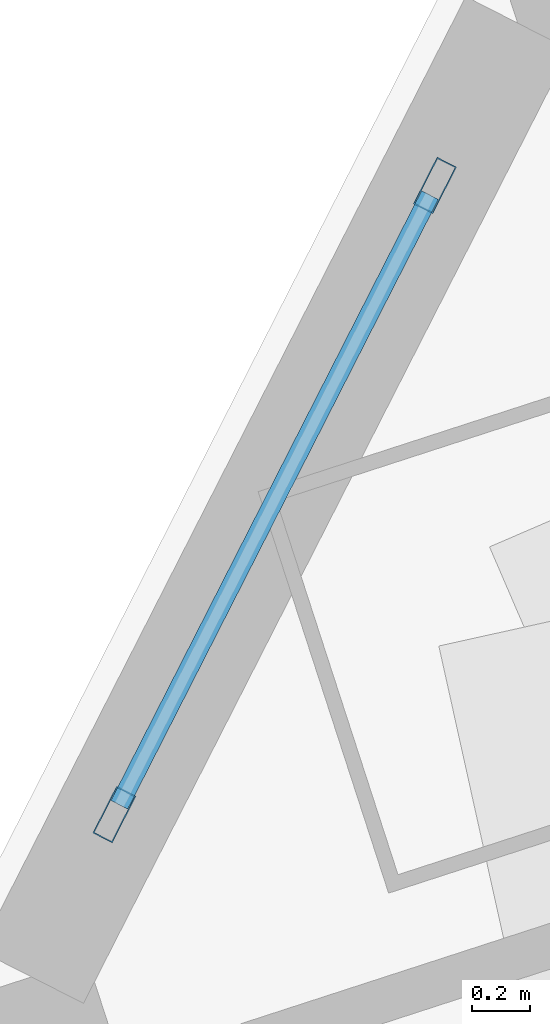
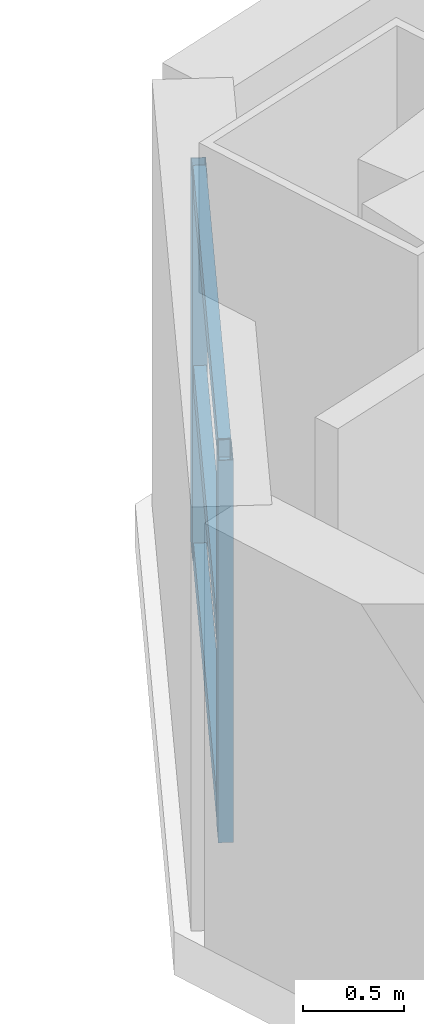
# One storey, part 7 of 23: 5 members, 1 element without a shape of its own.
"""IFC4 building model written with IfcOpenShell, lengths in metres."""

import ifcopenshell
import ifcopenshell.guid

model = None  # the IFC model being written
_history = None  # IfcOwnerHistory: only IFC2X3 demands one
_inside = {}  # id of a spatial element -> (the spatial element, [elements in it])
_under = {}  # id of a project, library or spatial element -> (it, [spatial elements below it])
_declared = {}  # id of a project -> (the project, [libraries it declares])
_typed = {}  # id of a type object -> (the type object, [elements of that type])
_made_of = {}  # id of a material, layer set ... -> (it, [elements and type objects made of it])


def new_model(schema):
    """Start an empty IFC model of exactly this schema.

    Asked for "IFC4X3", IfcOpenShell would pick the latest addendum, in which some entities
    have other attributes; the version numbers below select the first issue.
    IFC2X3 requires an IfcOwnerHistory on every rooted entity: one is made here for all.
    """
    global model, _history
    if schema == "IFC4X3":
        model = ifcopenshell.file(schema_version=(4, 3, 0, 0))
    else:
        model = ifcopenshell.file(schema=schema)
    _inside.clear()
    _under.clear()
    _declared.clear()
    _typed.clear()
    _made_of.clear()
    _history = None
    if model.schema == "IFC2X3":
        org = make("IfcOrganization", Name="unknown")
        user = make(
            "IfcPersonAndOrganization",
            ThePerson=make("IfcPerson", FamilyName="unknown"),
            TheOrganization=org,
        )
        app = make(
            "IfcApplication",
            ApplicationDeveloper=org,
            Version="unknown",
            ApplicationFullName="unknown",
            ApplicationIdentifier="unknown",
        )
        _history = make(
            "IfcOwnerHistory",
            OwningUser=user,
            OwningApplication=app,
            ChangeAction="ADDED",
            CreationDate=0,
        )
    return model


def make(cls, **values):
    """One entity of the class cls with the attributes given. An attribute that is None is left unset."""
    return model.create_entity(
        cls, **{name: value for name, value in values.items() if value is not None}
    )


def rooted(cls, **values):
    """An entity with a GlobalId (a new one), such as an element, a storey or a relation."""
    return make(cls, GlobalId=ifcopenshell.guid.new(), OwnerHistory=_history, **values)


def si_unit(unit_type, name, prefix=None):
    """IfcSIUnit, for example si_unit("LENGTHUNIT", "METRE", prefix="MILLI")."""
    return make("IfcSIUnit", UnitType=unit_type, Prefix=prefix, Name=name)


def assignment(units):
    """IfcUnitAssignment: the units of a project."""
    return None if units is None else make("IfcUnitAssignment", Units=units)


def point(xyz):
    """IfcCartesianPoint."""
    return None if xyz is None else make("IfcCartesianPoint", Coordinates=xyz)


def direction(xyz):
    """IfcDirection."""
    return None if xyz is None else make("IfcDirection", DirectionRatios=xyz)


def frame(location, z_axis=None, x_axis=None):
    """IfcAxis2Placement3D, a coordinate frame: its origin and axes. An axis left out is left unset."""
    return make(
        "IfcAxis2Placement3D",
        Location=point(location),
        Axis=direction(z_axis),
        RefDirection=direction(x_axis),
    )


def frame_2d(location, x_axis=None):
    """IfcAxis2Placement2D, a coordinate frame in the plane: its origin and x axis."""
    return make(
        "IfcAxis2Placement2D", Location=point(location), RefDirection=direction(x_axis)
    )


def origin():
    """The frame at (0, 0, 0) with its axes left unset."""
    return frame((0.0, 0.0, 0.0))


def origin_2d():
    """The frame at (0, 0) in the plane with its x axis left unset."""
    return frame_2d((0.0, 0.0))


def place(relative_to, where):
    """IfcLocalPlacement: puts the frame where relative to a parent placement (None: the world)."""
    return make(
        "IfcLocalPlacement", PlacementRelTo=relative_to, RelativePlacement=where
    )


def context(
    kind, dimensions, precision=None, world=None, true_north=None, identifier=None
):
    """IfcGeometricRepresentationContext, for example the 3D "Model" context."""
    return make(
        "IfcGeometricRepresentationContext",
        ContextIdentifier=identifier,
        ContextType=kind,
        CoordinateSpaceDimension=dimensions,
        Precision=precision,
        WorldCoordinateSystem=world,
        TrueNorth=true_north,
    )


def subcontext(parent, identifier, kind, view, scale=None):
    """IfcGeometricRepresentationSubContext, for example "Body" below "Model"."""
    return make(
        "IfcGeometricRepresentationSubContext",
        ContextIdentifier=identifier,
        ContextType=kind,
        ParentContext=parent,
        TargetScale=scale,
        TargetView=view,
    )


def project(units=None, contexts=None):
    """IfcProject with its units and contexts."""
    return rooted(
        "IfcProject",
        Name="project",
        RepresentationContexts=contexts,
        UnitsInContext=assignment(units),
    )


def spatial(cls, under=None, at=None, **own):
    """A site, building, storey or space (cls), placed at a placement, below another one or the project."""
    s = rooted(cls, ObjectPlacement=at, **own)
    if under is not None:
        _under.setdefault(under.id(), (under, []))[1].append(s)
    return s


def profile(cls, at=None, kind="AREA", **sizes):
    """A parametric profile (cls). Its sizes go by their IFC names, for example OverallWidth=200.0."""
    return make(cls, ProfileType=kind, Position=at, **sizes)


def hollow_rectangle(**sizes):
    """IfcRectangleHollowProfileDef."""
    return profile("IfcRectangleHollowProfileDef", **sizes)


def extrude(swept, where, along, depth):
    """IfcExtrudedAreaSolid: the profile swept, set in the frame where, extruded along a direction by depth."""
    return make(
        "IfcExtrudedAreaSolid",
        SweptArea=swept,
        Position=where,
        ExtrudedDirection=direction(along),
        Depth=depth,
    )


def shape(context_of_items, identifier, shape_type, items):
    """IfcShapeRepresentation: the items that make up one representation, for example the "Body"."""
    return make(
        "IfcShapeRepresentation",
        ContextOfItems=context_of_items,
        RepresentationIdentifier=identifier,
        RepresentationType=shape_type,
        Items=items,
    )


def material(Name=None, Category=None):
    """IfcMaterial."""
    return make("IfcMaterial", Name=Name, Category=Category)


def layer(
    of_material, thickness, ventilated=None, Name=None, Category=None, Priority=None
):
    """IfcMaterialLayer: one layer of a wall or slab, of a material (None: an air gap)."""
    return make(
        "IfcMaterialLayer",
        Material=of_material,
        LayerThickness=thickness,
        IsVentilated=ventilated,
        Name=Name,
        Category=Category,
        Priority=Priority,
    )


def layer_set(layers, Name=None):
    """IfcMaterialLayerSet."""
    return make("IfcMaterialLayerSet", MaterialLayers=layers, LayerSetName=Name)


def material_profile(
    of_material, cross_section, Name=None, Category=None, Priority=None
):
    """IfcMaterialProfile: a cross section and its material."""
    return make(
        "IfcMaterialProfile",
        Name=Name,
        Material=of_material,
        Profile=cross_section,
        Priority=Priority,
        Category=Category,
    )


def profile_set(profiles, Name=None, composite=None):
    """IfcMaterialProfileSet."""
    return make(
        "IfcMaterialProfileSet",
        Name=Name,
        MaterialProfiles=profiles,
        CompositeProfile=composite,
    )


def made_of(thing, what):
    """Note that an element or type object is made of a material, layer set ...; save() writes the relation."""
    if what is not None:
        _made_of.setdefault(what.id(), (what, []))[1].append(thing)
    return thing


def type_object(cls, material=None, **own):
    """A type object (cls), such as IfcWallType, which elements share."""
    return made_of(rooted(cls, **own), material)


def element(
    cls,
    number,
    at=None,
    inside=None,
    cuts=None,
    type_object=None,
    material=None,
    context=None,
    identifier="Body",
    shape_type=None,
    held_by="IfcProductDefinitionShape",
    body=None,
    shapes=None,
    **own,
):
    """One element of the class cls, such as IfcWall. Its Tag is "e" and its number.

    at: its placement. inside: the storey or other place that contains it. cuts: it is an
    opening in that element (IfcRelVoidsElement). A single representation is given by context,
    identifier, shape_type and body (its items); several are given by shapes. held_by: the class
    of the entity that holds the representations. save() writes the other relations.
    """
    e = rooted(cls, Tag="e%d" % number, ObjectPlacement=at, **own)
    if body is not None:
        shapes = [shape(context, identifier, shape_type, body)]
    if shapes is not None:
        e.Representation = make(held_by, Representations=shapes)
    if inside is not None:
        _inside.setdefault(inside.id(), (inside, []))[1].append(e)
    if cuts is not None:
        rooted(
            "IfcRelVoidsElement", RelatingBuildingElement=cuts, RelatedOpeningElement=e
        )
    if type_object is not None:
        _typed.setdefault(type_object.id(), (type_object, []))[1].append(e)
    return made_of(e, material)


def aggregate(whole, parts):
    """IfcRelAggregates: a whole, such as a stair, and the parts it consists of."""
    return rooted("IfcRelAggregates", RelatingObject=whole, RelatedObjects=parts)


def save(model, path):
    """Write the relations noted so far, then the file.

    IfcRelAggregates (storeys below a building ...), IfcRelContainedInSpatialStructure (elements
    in a storey), IfcRelDefinesByType, IfcRelAssociatesMaterial and IfcRelDeclares: one each for
    every whole, place, type object, material and project.
    """
    for whole, parts in _under.values():
        aggregate(whole, parts)
    for where, things in _inside.values():
        rooted(
            "IfcRelContainedInSpatialStructure",
            RelatedElements=things,
            RelatingStructure=where,
        )
    for kind, things in _typed.values():
        rooted("IfcRelDefinesByType", RelatedObjects=things, RelatingType=kind)
    for what, things in _made_of.values():
        rooted("IfcRelAssociatesMaterial", RelatedObjects=things, RelatingMaterial=what)
    for by, libraries in _declared.values():
        rooted("IfcRelDeclares", RelatingContext=by, RelatedDefinitions=libraries)
    model.write(path)


model = new_model("IFC4")

# Units and contexts
model_context = context("Model", 3, precision=1e-05, world=origin(), true_north=direction((0.0, 1.0)))
body_context = subcontext(model_context, "Body", "Model", "MODEL_VIEW")
ifc_project = project(units=[si_unit("LENGTHUNIT", "METRE"), si_unit("AREAUNIT", "SQUARE_METRE"), si_unit("VOLUMEUNIT", "CUBIC_METRE"), si_unit("PLANEANGLEUNIT", "RADIAN"), si_unit("MASSUNIT", "GRAM", prefix="KILO")], contexts=[model_context])

# Site, building, storey
site_placement = place(None, origin())
site = spatial("IfcSite", under=ifc_project, at=site_placement, CompositionType="ELEMENT")
building_placement = place(site_placement, origin())
building = spatial("IfcBuilding", under=site, at=building_placement, Name="Qiaolan Cultural Towers", CompositionType="ELEMENT")
storey_placement = place(building_placement, frame((0.0, 0.0, 100.050048828125)))
storey = spatial("IfcBuildingStorey", under=building, at=storey_placement, Name="L25", CompositionType="ELEMENT", Elevation=100.050048828125)

# Curtain wall, members
ifc_material_1 = material(Name="Unitized Anodized Aluminium Curtain Wall System", Category="aluminium")
ifc_layer = layer(ifc_material_1, 0.199951171875)
ifc_layer_set = layer_set([ifc_layer], Name="Unitized Anodized Aluminium Curtain Wall System")
curtain_wall_type = type_object("IfcCurtainWallType", Name="CWS-03", PredefinedType="NOTDEFINED", material=ifc_layer_set)
curtain_wall_placement = place(storey_placement, origin())
curtain_wall = element("IfcCurtainWall", 1, at=curtain_wall_placement, inside=storey, type_object=curtain_wall_type, Name="L25 T2 Chamfer Wind-Corner Feature Curtain Wall 1", PredefinedType="NOTDEFINED")
ifc_material_2 = material(Name="Extruded Aluminium 6063-T6", Category="aluminium")
ifc_material_profile_1 = material_profile(ifc_material_2, hollow_rectangle(XDim=0.074951171875, YDim=0.179931640625, WallThickness=0.00390625, at=origin_2d()), Name="CWM-180x75x4")
ifc_profile_set_1 = profile_set([ifc_material_profile_1], Name="Extruded Aluminium 6063-T6")
member_type_1 = type_object("IfcMemberType", Name="CWS-03-MUL", PredefinedType="MULLION", material=ifc_profile_set_1)
member_1_placement = place(storey_placement, frame((66.66162109375, 51.276123046875, 0.14990234375), z_axis=(0.0, 0.0, 1.0), x_axis=(-0.891006262447, 0.453991013436, 0.0)))
member_1 = element("IfcMember", 2, at=member_1_placement, type_object=member_type_1, Name="CW-3 mullion 1", PredefinedType="MULLION", context=body_context, shape_type="SweptSolid", body=[
    extrude(hollow_rectangle(XDim=0.074951171875, YDim=0.179931640625, WallThickness=0.00390625, at=origin_2d()), origin(), (0.0, 0.0, 1.0), 2.300048828125),
])
member_2_placement = place(storey_placement, frame((67.7626953125, 53.43701171875, 0.14990234375), z_axis=(0.0, 0.0, 1.0), x_axis=(-0.891006262447, 0.453991013436, 0.0)))
member_2 = element("IfcMember", 3, at=member_2_placement, type_object=member_type_1, Name="CW-3 mullion 2", PredefinedType="MULLION", context=body_context, shape_type="SweptSolid", body=[
    extrude(hollow_rectangle(XDim=0.074951171875, YDim=0.179931640625, WallThickness=0.00390625, at=origin_2d()), origin(), (0.0, 0.0, 1.0), 2.300048828125),
])
ifc_material_3 = material(Name="Extruded Aluminium 6063-T6", Category="aluminium")
ifc_material_profile_2 = material_profile(ifc_material_3, hollow_rectangle(XDim=0.06494140625, YDim=0.14990234375, WallThickness=0.00390625, at=origin_2d()), Name="CWT-150x65x4")
ifc_profile_set_2 = profile_set([ifc_material_profile_2], Name="Extruded Aluminium 6063-T6")
member_type_2 = type_object("IfcMemberType", Name="CWS-03-TRN", PredefinedType="USERDEFINED", material=ifc_profile_set_2)
member_3_placement = place(storey_placement, frame((66.6787109375, 51.3095703125, 0.182373046875), z_axis=(0.453932005663, 0.89103632599, 0.0), x_axis=(-0.89103632599, 0.453932005663, 0.0)))
member_3 = element("IfcMember", 4, at=member_3_placement, type_object=member_type_2, Name="CW-3 transom 1.1", ObjectType="TRANSOM", PredefinedType="USERDEFINED", context=body_context, shape_type="SweptSolid", body=[
    extrude(hollow_rectangle(XDim=0.06494140625, YDim=0.14990234375, WallThickness=0.00390625, at=origin_2d()), origin(), (0.0, 0.0, 1.0), 2.350341796875),
])
member_4_placement = place(storey_placement, frame((66.6787109375, 51.3095703125, 1.25), z_axis=(0.453932005663, 0.89103632599, 0.0), x_axis=(-0.89103632599, 0.453932005663, 0.0)))
member_4 = element("IfcMember", 5, at=member_4_placement, type_object=member_type_2, Name="CW-3 transom 1.2", ObjectType="TRANSOM", PredefinedType="USERDEFINED", context=body_context, shape_type="SweptSolid", body=[
    extrude(hollow_rectangle(XDim=0.06494140625, YDim=0.14990234375, WallThickness=0.00390625, at=origin_2d()), origin(), (0.0, 0.0, 1.0), 2.350341796875),
])
member_5_placement = place(storey_placement, frame((66.6787109375, 51.3095703125, 2.41748046875), z_axis=(0.453932005663, 0.89103632599, 0.0), x_axis=(-0.89103632599, 0.453932005663, 0.0)))
member_5 = element("IfcMember", 6, at=member_5_placement, type_object=member_type_2, Name="CW-3 transom 1.3", ObjectType="TRANSOM", PredefinedType="USERDEFINED", context=body_context, shape_type="SweptSolid", body=[
    extrude(hollow_rectangle(XDim=0.06494140625, YDim=0.14990234375, WallThickness=0.00390625, at=origin_2d()), origin(), (0.0, 0.0, 1.0), 2.350341796875),
])
aggregate(curtain_wall, [member_1, member_2, member_3, member_4, member_5])

save(model, "model.ifc")
